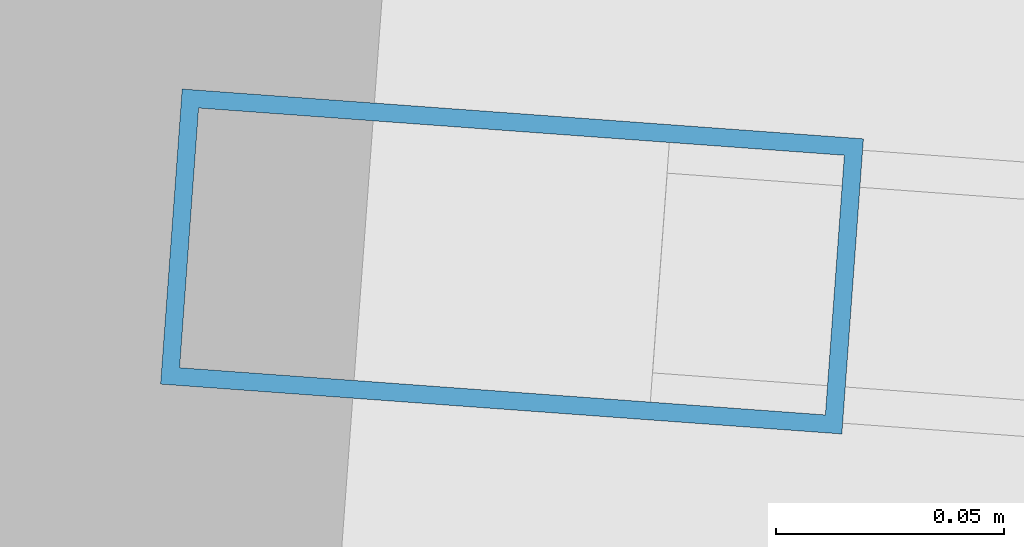
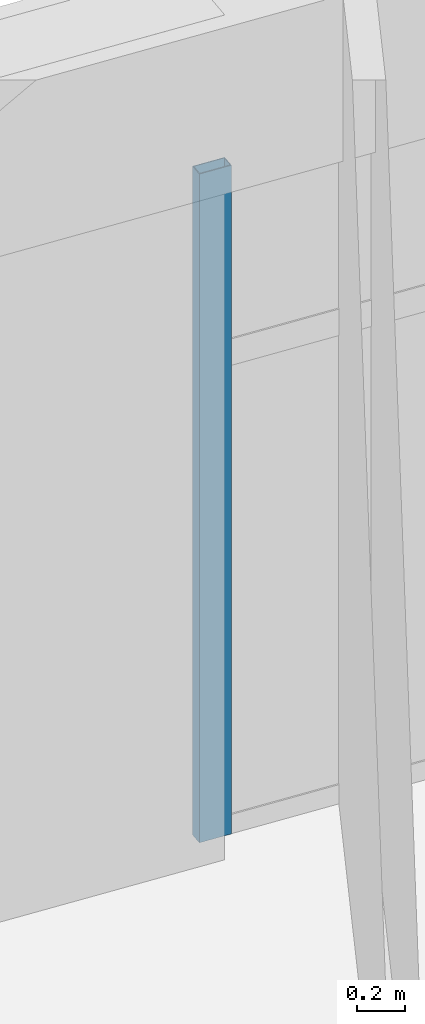
# One storey, part 26 of 39: 1 member, 1 element without a shape of its own.
"""IFC4 building model written with IfcOpenShell, lengths in metres."""

from ifc_helpers import new_model, si_unit, direction, frame, origin, origin_2d, place, context, subcontext, project, spatial, hollow_rectangle, extrude, source, transform, mapped, material, layer, layer_set, material_profile, profile_set, type_object, element, aggregate, save


model = new_model("IFC4")

# Units and contexts
model_context = context("Model", 3, precision=1e-05, world=origin(), true_north=direction((0.0, 1.0)))
body_context = subcontext(model_context, "Body", "Model", "MODEL_VIEW")
ifc_project = project(units=[si_unit("LENGTHUNIT", "METRE"), si_unit("AREAUNIT", "SQUARE_METRE"), si_unit("VOLUMEUNIT", "CUBIC_METRE"), si_unit("PLANEANGLEUNIT", "RADIAN"), si_unit("MASSUNIT", "GRAM", prefix="KILO")], contexts=[model_context])

# Site, building, storey
site_placement = place(None, origin())
site = spatial("IfcSite", under=ifc_project, at=site_placement, CompositionType="ELEMENT")
building_placement = place(site_placement, origin())
building = spatial("IfcBuilding", under=site, at=building_placement, Name="Liaohun Quay Tower", CompositionType="ELEMENT")
storey_placement = place(building_placement, frame((0.0, 0.0, 189.75)))
storey = spatial("IfcBuildingStorey", under=building, at=storey_placement, Name="L49", CompositionType="ELEMENT", Elevation=189.75)

# Curtain wall, member
ifc_material_1 = material(Name="Mid-height zone-break sky-lobby curtain wall")
ifc_layer = layer(ifc_material_1, 0.199951171875, Name="Mid-height zone-break sky-lobby curtain wall")
ifc_layer_set = layer_set([ifc_layer], Name="Mid-height zone-break sky-lobby curtain wall")
curtain_wall_type = type_object("IfcCurtainWallType", Name="CW-SKY-L49", PredefinedType="NOTDEFINED", material=ifc_layer_set)
curtain_wall_placement = place(storey_placement, origin())
curtain_wall = element("IfcCurtainWall", 1, at=curtain_wall_placement, inside=storey, type_object=curtain_wall_type, Name="L49 Panoramic Belvedere Curtain Wall 03", PredefinedType="NOTDEFINED")
ifc_material_2 = material(Name="Anodised aluminium 6063-T6", Category="aluminium")
ifc_material_profile = material_profile(ifc_material_2, hollow_rectangle(XDim=0.06494140625, YDim=0.14990234375, WallThickness=0.00390625, at=origin_2d()), Name="RHS150x65x4")
ifc_profile_set = profile_set([ifc_material_profile], Name="Anodised aluminium 6063-T6")
member_type = type_object("IfcMemberType", Name="MEM-CWM-SKY", PredefinedType="MULLION", material=ifc_profile_set)
shared_shape = source(origin(), body_context, "Body", "SweptSolid", [
    extrude(hollow_rectangle(XDim=0.06494140625, YDim=0.14990234375, WallThickness=0.00390625, at=origin_2d()), origin(), (0.0, 0.0, 1.0), 3.419921875),
])
member_placement = place(storey_placement, frame((72.410400390625, 78.09375, 0.0), z_axis=(0.0, 0.0, 1.0), x_axis=(-0.072968057021, -0.997334278291, 0.0)))
member = element("IfcMember", 2, at=member_placement, type_object=member_type, Name="CW4 mullion 3", PredefinedType="MULLION", context=body_context, shape_type="MappedRepresentation", body=[
    mapped(shared_shape, transform((0.0, 0.0, 0.0), x_axis=(1.0, 0.0, 0.0), y_axis=(0.0, 1.0, 0.0), z_axis=(0.0, 0.0, 1.0), scale=1.0)),
])
aggregate(curtain_wall, [member])

save(model, "model.ifc")
